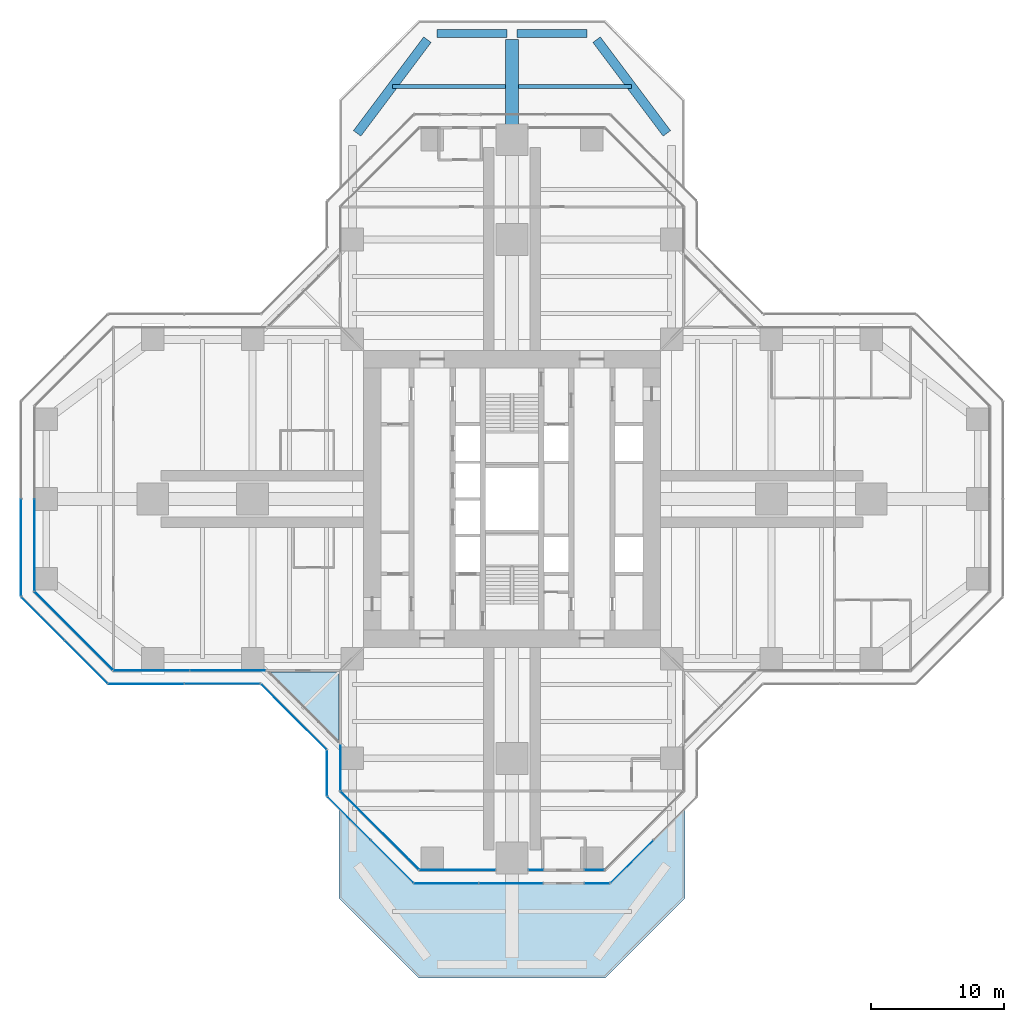
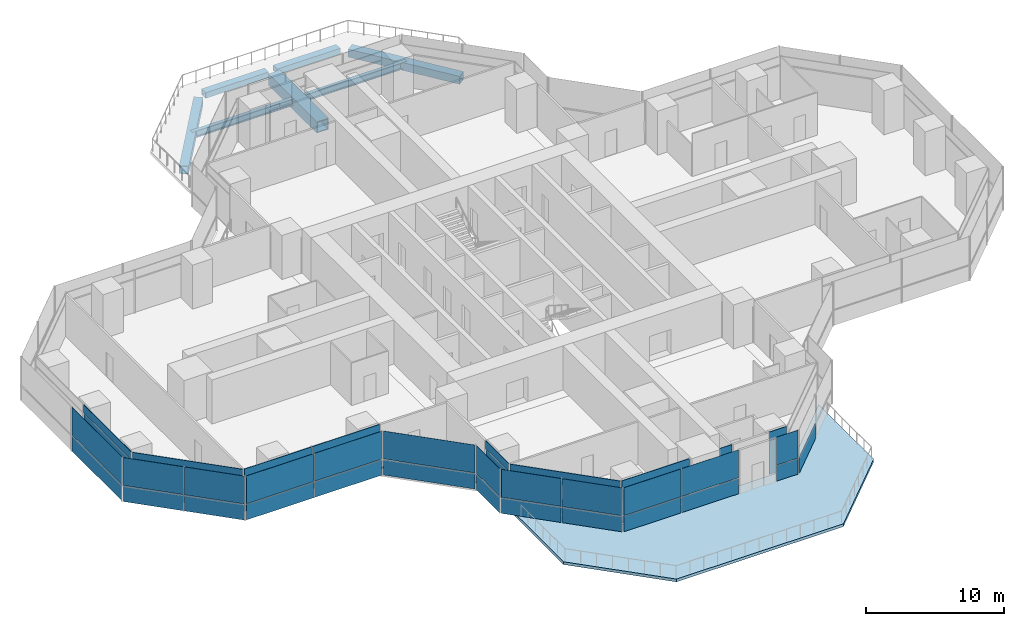
# One storey, part 13 of 21: 43 plates, 7 beams, 2 slabs, 17 elements without a shape of their own.
"""IFC4 building model written with IfcOpenShell, lengths in metres."""

from ifc_helpers import new_model, si_unit, direction, frame, origin, origin_2d, place, context, subcontext, project, spatial, polyline, rectangle, hollow_rectangle, i_section, outline, extrude, material, layer, layer_set, material_profile, profile_set, type_object, element, aggregate, save


model = new_model("IFC4")

# Units and contexts
model_context = context("Model", 3, precision=1e-05, world=origin(), true_north=direction((0.0, 1.0)))
body_context = subcontext(model_context, "Body", "Model", "MODEL_VIEW")
ifc_project = project(units=[si_unit("LENGTHUNIT", "METRE"), si_unit("AREAUNIT", "SQUARE_METRE"), si_unit("VOLUMEUNIT", "CUBIC_METRE"), si_unit("PLANEANGLEUNIT", "RADIAN"), si_unit("MASSUNIT", "GRAM", prefix="KILO")], contexts=[model_context])

# Site, building, storey
site_placement = place(None, origin())
site = spatial("IfcSite", under=ifc_project, at=site_placement, CompositionType="ELEMENT")
building_placement = place(site_placement, origin())
building = spatial("IfcBuilding", under=site, at=building_placement, Name="Mizan Broadcast Tower", CompositionType="ELEMENT")
storey_placement = place(building_placement, frame((0.0, 0.0, 124.199951171875)))
storey = spatial("IfcBuildingStorey", under=building, at=storey_placement, Name="L27", CompositionType="ELEMENT", Elevation=124.199951171875)

# Beams
ifc_material_1 = material(Name="Steel S355", Category="steel")
ifc_material_profile_1 = material_profile(ifc_material_1, hollow_rectangle(XDim=0.60009765625, YDim=0.5, WallThickness=0.030029296875, at=origin_2d()), Name="BOX 500x600x30")
ifc_profile_set_1 = profile_set([ifc_material_profile_1], Name="Steel S355")
beam_type_1 = type_object("IfcBeamType", Name="EDGE BEAM BOX 500x600x30", PredefinedType="SPANDREL", material=ifc_profile_set_1)
for number, where, z_axis, x_axis, name in (
    (1, (5.639892578125, 35.0, -0.5), (-1.0, 0.0, 0.0), (0.0, -1.0, 0.0), "Edge beam BOX 500x600x30 L27 north arm"),
    (2, (-5.639892578125, 35.0, -0.5), (1.0, 0.0, 0.0), (0.0, 1.0, 0.0), "Edge beam BOX 500x600x30 L27 north arm"),
):
    element("IfcBeam", number, at=place(storey_placement, frame(where, z_axis=z_axis, x_axis=x_axis)), inside=storey, type_object=beam_type_1, Name=name, PredefinedType="SPANDREL", context=body_context, shape_type="SweptSolid", body=[
        extrude(hollow_rectangle(XDim=0.60009765625, YDim=0.5, WallThickness=0.030029296875, at=origin_2d()), origin(), (0.0, 0.0, 1.0), 5.27978515625),
    ])
ifc_material_2 = material(Name="Steel S355", Category="steel")
ifc_material_profile_2 = material_profile(ifc_material_2, hollow_rectangle(XDim=0.699951171875, YDim=0.699951171875, WallThickness=0.0400390625, at=origin_2d()), Name="BOX 700x700x40")
ifc_profile_set_2 = profile_set([ifc_material_profile_2], Name="Steel S355")
beam_type_2 = type_object("IfcBeamType", Name="EDGE BEAM BOX 700x700x40", PredefinedType="SPANDREL", material=ifc_profile_set_2)
for number, where, z_axis, x_axis, name in (
    (3, (11.639892578125, 27.47998046875, -0.599853515625), (-0.599982243973, 0.800013316712, 0.0), (-0.800013316712, -0.599982243973, 0.0), "Edge beam BOX 700x700x40 L27 north arm"),
    (4, (-11.639892578125, 27.47998046875, -0.599853515625), (0.599982243973, 0.800013316712, 0.0), (-0.800013316712, 0.599982243973, 0.0), "Edge beam BOX 700x700x40 L27 north arm"),
):
    element("IfcBeam", number, at=place(storey_placement, frame(where, z_axis=z_axis, x_axis=x_axis)), inside=storey, type_object=beam_type_2, Name=name, PredefinedType="SPANDREL", context=body_context, shape_type="SweptSolid", body=[
        extrude(hollow_rectangle(XDim=0.699951171875, YDim=0.699951171875, WallThickness=0.0400390625, at=origin_2d()), origin(), (0.0, 0.0, 1.0), 8.7998046875),
    ])
ifc_material_3 = material(Name="Steel S460", Category="steel")
ifc_material_profile_3 = material_profile(ifc_material_3, hollow_rectangle(XDim=1.0, YDim=1.0, WallThickness=0.080078125, at=origin_2d()), Name="BOX 1000x1000x80")
ifc_profile_set_3 = profile_set([ifc_material_profile_3], Name="Steel S460")
beam_type_3 = type_object("IfcBeamType", Name="GIRDER BOX 1000x1000x80", PredefinedType="BEAM", material=ifc_profile_set_3)
beam_placement = place(storey_placement, frame((0.0, 27.47998046875, -0.75), z_axis=(0.0, 1.0, 0.0), x_axis=(-1.0, 0.0, 0.0)))
element("IfcBeam", 5, at=beam_placement, inside=storey, type_object=beam_type_3, Name="Girder BOX 1000x1000x80 L27 north arm", PredefinedType="BEAM", context=body_context, shape_type="SweptSolid", body=[
    extrude(hollow_rectangle(XDim=1.0, YDim=1.0, WallThickness=0.080078125, at=origin_2d()), origin(), (0.0, 0.0, 1.0), 7.0400390625),
])
ifc_material_4 = material(Name="Steel S355", Category="steel")
ifc_material_profile_4 = material_profile(ifc_material_4, i_section(OverallWidth=0.300048828125, OverallDepth=0.590087890625, WebThickness=0.012939453125, FlangeThickness=0.02490234375, FilletRadius=0.027099609375, at=origin_2d()), Name="HEA 600")
ifc_profile_set_4 = profile_set([ifc_material_profile_4], Name="Steel S355")
beam_type_4 = type_object("IfcBeamType", Name="SECONDARY BEAM HEA 600", PredefinedType="JOIST", material=ifc_profile_set_4)
for number, where, z_axis, x_axis, name in (
    (6, (9.0, 31.0, -0.544921875), (-1.0, 0.0, 0.0), (0.0, -1.0, 0.0), "Secondary beam HEA 600 L27 north arm"),
    (7, (-9.0, 31.0, -0.544921875), (1.0, 0.0, 0.0), (0.0, 1.0, 0.0), "Secondary beam HEA 600 L27 north arm"),
):
    element("IfcBeam", number, at=place(storey_placement, frame(where, z_axis=z_axis, x_axis=x_axis)), inside=storey, type_object=beam_type_4, Name=name, PredefinedType="JOIST", context=body_context, shape_type="SweptSolid", body=[
        extrude(i_section(OverallWidth=0.300048828125, OverallDepth=0.590087890625, WebThickness=0.012939453125, FlangeThickness=0.02490234375, FilletRadius=0.027099609375, at=origin_2d()), origin(), (0.0, 0.0, 1.0), 8.5),
    ])

# Curtain wall, plate
ifc_material_5 = material(Name="Aluminium framed glazing", Category="aluminium")
curtain_wall_type_1 = type_object("IfcCurtainWallType", Name="INNER SKIN MID ZONE", PredefinedType="USERDEFINED", material=ifc_material_5)
curtain_wall_1_placement = place(storey_placement, origin())
curtain_wall_1 = element("IfcCurtainWall", 8, at=curtain_wall_1_placement, inside=storey, type_object=curtain_wall_type_1, Name="Inner skin mid zone L27 W end", ObjectType="INNER SKIN MID ZONE", PredefinedType="USERDEFINED")
ifc_material_6 = material(Name="Double glazing, clear low-e", Category="glass")
ifc_layer_1 = layer(ifc_material_6, 0.028076171875)
ifc_layer_set_1 = layer_set([ifc_layer_1], Name="Double glazing, clear low-e")
plate_type_1 = type_object("IfcPlateType", Name="INNER SKIN GLAZING UNIT", PredefinedType="CURTAIN_PANEL", material=ifc_layer_set_1)
plate_1_placement = place(storey_placement, frame((-35.89990234375, -3.46435546875, 0.0), z_axis=(0.0, 0.0, 1.0), x_axis=(0.0, -1.0, 0.0)))
plate_1 = element("IfcPlate", 9, at=plate_1_placement, type_object=plate_type_1, Name="Inner skin mid zone L27 W end panel 2.1", PredefinedType="CURTAIN_PANEL", context=body_context, shape_type="SweptSolid", body=[
    extrude(rectangle(XDim=6.86865234375, YDim=0.028076171875, at=origin_2d()), origin(), (0.0, 0.0, 1.0), 3.0),
])

curtain_wall_2_placement = place(storey_placement, origin())
curtain_wall_2 = element("IfcCurtainWall", 10, at=curtain_wall_2_placement, inside=storey, type_object=curtain_wall_type_1, Name="Inner skin mid zone L27 W chamfer", ObjectType="INNER SKIN MID ZONE", PredefinedType="USERDEFINED")
plate_2_placement = place(storey_placement, frame((-32.92919921875, -9.92919921875, 0.0), z_axis=(0.0, 0.0, 1.0), x_axis=(0.707106781187, -0.707106781187, 0.0)))
plate_2 = element("IfcPlate", 11, at=plate_2_placement, type_object=plate_type_1, Name="Inner skin mid zone L27 W chamfer panel 1.1", PredefinedType="CURTAIN_PANEL", context=body_context, shape_type="SweptSolid", body=[
    extrude(rectangle(XDim=8.282470703125, YDim=0.028076171875, at=origin_2d()), origin(), (0.0, 0.0, 1.0), 3.0),
])

# Curtain wall, plates
curtain_wall_3_placement = place(storey_placement, origin())
curtain_wall_3 = element("IfcCurtainWall", 12, at=curtain_wall_3_placement, inside=storey, type_object=curtain_wall_type_1, Name="Inner skin mid zone L27 W side", ObjectType="INNER SKIN MID ZONE", PredefinedType="USERDEFINED")
plate_3_placement = place(storey_placement, frame((-27.078857421875, -12.89990234375, 0.0), z_axis=(0.0, 0.0, 1.0), x_axis=(1.0, 0.0, 0.0)))
plate_3 = element("IfcPlate", 13, at=plate_3_placement, type_object=plate_type_1, Name="Inner skin mid zone L27 W side panel 1.1", PredefinedType="CURTAIN_PANEL", context=body_context, shape_type="SweptSolid", body=[
    extrude(rectangle(XDim=5.639404296875, YDim=0.028076171875, at=origin_2d()), origin(), (0.0, 0.0, 1.0), 3.0),
])
plate_4_placement = place(storey_placement, frame((-21.379638671875, -12.89990234375, 0.0), z_axis=(0.0, 0.0, 1.0), x_axis=(1.0, 0.0, 0.0)))
plate_4 = element("IfcPlate", 14, at=plate_4_placement, type_object=plate_type_1, Name="Inner skin mid zone L27 W side panel 2.1", PredefinedType="CURTAIN_PANEL", context=body_context, shape_type="SweptSolid", body=[
    extrude(rectangle(XDim=5.639404296875, YDim=0.028076171875, at=origin_2d()), origin(), (0.0, 0.0, 1.0), 3.0),
])

# Curtain wall, plate
curtain_wall_4_placement = place(storey_placement, origin())
curtain_wall_4 = element("IfcCurtainWall", 15, at=curtain_wall_4_placement, inside=storey, type_object=curtain_wall_type_1, Name="Inner skin mid zone L27 S side", ObjectType="INNER SKIN MID ZONE", PredefinedType="USERDEFINED")
plate_5_placement = place(storey_placement, frame((-12.89990234375, -20.229248046875, 0.0), z_axis=(0.0, 0.0, 1.0), x_axis=(0.0, -1.0, 0.0)))
plate_5 = element("IfcPlate", 16, at=plate_5_placement, type_object=plate_type_1, Name="Inner skin mid zone L27 S side panel 1.1", PredefinedType="CURTAIN_PANEL", context=body_context, shape_type="SweptSolid", body=[
    extrude(rectangle(XDim=3.338623046875, YDim=0.028076171875, at=origin_2d()), origin(), (0.0, 0.0, 1.0), 3.0),
])

curtain_wall_5_placement = place(storey_placement, origin())
curtain_wall_5 = element("IfcCurtainWall", 17, at=curtain_wall_5_placement, inside=storey, type_object=curtain_wall_type_1, Name="Inner skin mid zone L27 S chamfer", ObjectType="INNER SKIN MID ZONE", PredefinedType="USERDEFINED")
plate_6_placement = place(storey_placement, frame((-9.92919921875, -24.92919921875, 0.0), z_axis=(0.0, 0.0, 1.0), x_axis=(0.707106781187, -0.707106781187, 0.0)))
plate_6 = element("IfcPlate", 18, at=plate_6_placement, type_object=plate_type_1, Name="Inner skin mid zone L27 S chamfer panel 1.1", PredefinedType="CURTAIN_PANEL", context=body_context, shape_type="SweptSolid", body=[
    extrude(rectangle(XDim=8.282470703125, YDim=0.028076171875, at=origin_2d()), origin(), (0.0, 0.0, 1.0), 3.0),
])

curtain_wall_6_placement = place(storey_placement, origin())
curtain_wall_6 = element("IfcCurtainWall", 19, at=curtain_wall_6_placement, inside=storey, type_object=curtain_wall_type_1, Name="Inner skin mid zone L27 S end", ObjectType="INNER SKIN MID ZONE", PredefinedType="USERDEFINED")
plate_7_placement = place(storey_placement, frame((-4.079345703125, -27.89990234375, 0.0), z_axis=(0.0, 0.0, 1.0), x_axis=(1.0, 0.0, 0.0)))
plate_7 = element("IfcPlate", 20, at=plate_7_placement, type_object=plate_type_1, Name="Inner skin mid zone L27 S end panel 1.1", PredefinedType="CURTAIN_PANEL", context=body_context, shape_type="SweptSolid", body=[
    extrude(rectangle(XDim=5.638671875, YDim=0.028076171875, at=origin_2d()), origin(), (0.0, 0.0, 1.0), 3.0),
])

curtain_wall_7_placement = place(storey_placement, origin())
curtain_wall_7 = element("IfcCurtainWall", 21, at=curtain_wall_7_placement, inside=storey, type_object=curtain_wall_type_1, Name="Inner skin mid zone L27 S end", ObjectType="INNER SKIN MID ZONE", PredefinedType="USERDEFINED")
plate_8_placement = place(storey_placement, frame((1.800048828125, -27.89990234375, 0.0), z_axis=(0.0, 0.0, 1.0), x_axis=(1.0, 0.0, 0.0)))
plate_8 = element("IfcPlate", 22, at=plate_8_placement, type_object=plate_type_1, Name="Inner skin mid zone L27 S end panel 1.1", PredefinedType="CURTAIN_PANEL", context=body_context, shape_type="SweptSolid", body=[
    extrude(rectangle(XDim=1.080078125, YDim=0.028076171875, at=origin_2d()), origin(), (0.0, 0.0, 1.0), 3.0),
])

curtain_wall_8_placement = place(storey_placement, origin())
curtain_wall_8 = element("IfcCurtainWall", 23, at=curtain_wall_8_placement, inside=storey, type_object=curtain_wall_type_1, Name="Inner skin mid zone L27 S end", ObjectType="INNER SKIN MID ZONE", PredefinedType="USERDEFINED")
plate_9_placement = place(storey_placement, frame((6.17919921875, -27.89990234375, 0.0), z_axis=(0.0, 0.0, 1.0), x_axis=(1.0, 0.0, 0.0)))
plate_9 = element("IfcPlate", 24, at=plate_9_placement, type_object=plate_type_1, Name="Inner skin mid zone L27 S end panel 1.1", PredefinedType="CURTAIN_PANEL", context=body_context, shape_type="SweptSolid", body=[
    extrude(rectangle(XDim=1.4384765625, YDim=0.028076171875, at=origin_2d()), origin(), (0.0, 0.0, 1.0), 3.0),
])

# Plate
ifc_material_7 = material(Name="Insulated aluminium spandrel panel, pale anodised", Category="aluminium")
ifc_layer_2 = layer(ifc_material_7, 0.050048828125)
ifc_layer_set_2 = layer_set([ifc_layer_2], Name="Insulated aluminium spandrel panel, pale anodised")
plate_type_2 = type_object("IfcPlateType", Name="INNER SKIN SPANDREL PANEL", PredefinedType="CURTAIN_PANEL", material=ifc_layer_set_2)
plate_10_placement = place(storey_placement, frame((-35.89990234375, -3.46435546875, 3.06005859375), z_axis=(0.0, 0.0, 1.0), x_axis=(0.0, -1.0, 0.0)))
plate_10 = element("IfcPlate", 25, at=plate_10_placement, type_object=plate_type_2, Name="Inner skin mid zone L27 W end panel 2.2", PredefinedType="CURTAIN_PANEL", context=body_context, shape_type="SweptSolid", body=[
    extrude(rectangle(XDim=6.86865234375, YDim=0.050048828125, at=origin_2d()), origin(), (0.0, 0.0, 1.0), 0.7099609375),
])

aggregate(curtain_wall_1, [plate_1, plate_10])

plate_11_placement = place(storey_placement, frame((-32.92919921875, -9.92919921875, 3.06005859375), z_axis=(0.0, 0.0, 1.0), x_axis=(0.707106781187, -0.707106781187, 0.0)))
plate_11 = element("IfcPlate", 26, at=plate_11_placement, type_object=plate_type_2, Name="Inner skin mid zone L27 W chamfer panel 1.2", PredefinedType="CURTAIN_PANEL", context=body_context, shape_type="SweptSolid", body=[
    extrude(rectangle(XDim=8.282470703125, YDim=0.050048828125, at=origin_2d()), origin(), (0.0, 0.0, 1.0), 0.7099609375),
])

aggregate(curtain_wall_2, [plate_2, plate_11])

plate_12_placement = place(storey_placement, frame((-27.078857421875, -12.89990234375, 3.06005859375), z_axis=(0.0, 0.0, 1.0), x_axis=(1.0, 0.0, 0.0)))
plate_12 = element("IfcPlate", 27, at=plate_12_placement, type_object=plate_type_2, Name="Inner skin mid zone L27 W side panel 1.2", PredefinedType="CURTAIN_PANEL", context=body_context, shape_type="SweptSolid", body=[
    extrude(rectangle(XDim=5.639404296875, YDim=0.050048828125, at=origin_2d()), origin(), (0.0, 0.0, 1.0), 0.7099609375),
])

plate_13_placement = place(storey_placement, frame((-21.379638671875, -12.89990234375, 3.06005859375), z_axis=(0.0, 0.0, 1.0), x_axis=(1.0, 0.0, 0.0)))
plate_13 = element("IfcPlate", 28, at=plate_13_placement, type_object=plate_type_2, Name="Inner skin mid zone L27 W side panel 2.2", PredefinedType="CURTAIN_PANEL", context=body_context, shape_type="SweptSolid", body=[
    extrude(rectangle(XDim=5.639404296875, YDim=0.050048828125, at=origin_2d()), origin(), (0.0, 0.0, 1.0), 0.7099609375),
])

aggregate(curtain_wall_3, [plate_3, plate_12, plate_4, plate_13])

plate_14_placement = place(storey_placement, frame((-12.89990234375, -20.229248046875, 3.06005859375), z_axis=(0.0, 0.0, 1.0), x_axis=(0.0, -1.0, 0.0)))
plate_14 = element("IfcPlate", 29, at=plate_14_placement, type_object=plate_type_2, Name="Inner skin mid zone L27 S side panel 1.2", PredefinedType="CURTAIN_PANEL", context=body_context, shape_type="SweptSolid", body=[
    extrude(rectangle(XDim=3.338623046875, YDim=0.050048828125, at=origin_2d()), origin(), (0.0, 0.0, 1.0), 0.7099609375),
])

aggregate(curtain_wall_4, [plate_5, plate_14])

plate_15_placement = place(storey_placement, frame((-9.92919921875, -24.92919921875, 3.06005859375), z_axis=(0.0, 0.0, 1.0), x_axis=(0.707106781187, -0.707106781187, 0.0)))
plate_15 = element("IfcPlate", 30, at=plate_15_placement, type_object=plate_type_2, Name="Inner skin mid zone L27 S chamfer panel 1.2", PredefinedType="CURTAIN_PANEL", context=body_context, shape_type="SweptSolid", body=[
    extrude(rectangle(XDim=8.282470703125, YDim=0.050048828125, at=origin_2d()), origin(), (0.0, 0.0, 1.0), 0.7099609375),
])

aggregate(curtain_wall_5, [plate_6, plate_15])

plate_16_placement = place(storey_placement, frame((-4.079345703125, -27.89990234375, 3.06005859375), z_axis=(0.0, 0.0, 1.0), x_axis=(1.0, 0.0, 0.0)))
plate_16 = element("IfcPlate", 31, at=plate_16_placement, type_object=plate_type_2, Name="Inner skin mid zone L27 S end panel 1.2", PredefinedType="CURTAIN_PANEL", context=body_context, shape_type="SweptSolid", body=[
    extrude(rectangle(XDim=5.638671875, YDim=0.050048828125, at=origin_2d()), origin(), (0.0, 0.0, 1.0), 0.7099609375),
])

aggregate(curtain_wall_6, [plate_7, plate_16])

plate_17_placement = place(storey_placement, frame((1.800048828125, -27.89990234375, 3.06005859375), z_axis=(0.0, 0.0, 1.0), x_axis=(1.0, 0.0, 0.0)))
plate_17 = element("IfcPlate", 32, at=plate_17_placement, type_object=plate_type_2, Name="Inner skin mid zone L27 S end panel 1.2", PredefinedType="CURTAIN_PANEL", context=body_context, shape_type="SweptSolid", body=[
    extrude(rectangle(XDim=1.080078125, YDim=0.050048828125, at=origin_2d()), origin(), (0.0, 0.0, 1.0), 0.7099609375),
])

aggregate(curtain_wall_7, [plate_8, plate_17])

plate_18_placement = place(storey_placement, frame((6.17919921875, -27.89990234375, 3.06005859375), z_axis=(0.0, 0.0, 1.0), x_axis=(1.0, 0.0, 0.0)))
plate_18 = element("IfcPlate", 33, at=plate_18_placement, type_object=plate_type_2, Name="Inner skin mid zone L27 S end panel 1.2", PredefinedType="CURTAIN_PANEL", context=body_context, shape_type="SweptSolid", body=[
    extrude(rectangle(XDim=1.4384765625, YDim=0.050048828125, at=origin_2d()), origin(), (0.0, 0.0, 1.0), 0.7099609375),
])

aggregate(curtain_wall_8, [plate_9, plate_18])

# Curtain wall, plates
ifc_material_8 = material(Name="Aluminium framed glazing", Category="aluminium")
curtain_wall_type_2 = type_object("IfcCurtainWallType", Name="OUTER SKIN", PredefinedType="USERDEFINED", material=ifc_material_8)
curtain_wall_9_placement = place(storey_placement, origin())
curtain_wall_9 = element("IfcCurtainWall", 34, at=curtain_wall_9_placement, inside=storey, type_object=curtain_wall_type_2, Name="Outer skin L27 W chamfer", ObjectType="OUTER SKIN", PredefinedType="USERDEFINED")
ifc_material_9 = material(Name="Laminated clear glass", Category="glass")
ifc_layer_3 = layer(ifc_material_9, 0.02001953125)
ifc_layer_set_3 = layer_set([ifc_layer_3], Name="Laminated clear glass")
plate_type_3 = type_object("IfcPlateType", Name="OUTER SKIN CLEAR GLASS", PredefinedType="CURTAIN_PANEL", material=ifc_layer_set_3)
plate_19_placement = place(storey_placement, frame((-35.254150390625, -9.018798828125, 0.0), z_axis=(0.0, 0.0, 1.0), x_axis=(0.707106781187, -0.707106781187, 0.0)))
plate_19 = element("IfcPlate", 35, at=plate_19_placement, type_object=plate_type_3, Name="Outer skin L27 W chamfer panel 1.1", PredefinedType="CURTAIN_PANEL", context=body_context, shape_type="SweptSolid", body=[
    extrude(rectangle(XDim=4.495361328125, YDim=0.02001953125, at=origin_2d()), origin(), (0.0, 0.0, 1.0), 1.3701171875),
])
plate_20_placement = place(storey_placement, frame((-35.254150390625, -9.018798828125, 1.43017578125), z_axis=(0.0, 0.0, 1.0), x_axis=(0.707106781187, -0.707106781187, 0.0)))
plate_20 = element("IfcPlate", 36, at=plate_20_placement, type_object=plate_type_3, Name="Outer skin L27 W chamfer panel 1.2", PredefinedType="CURTAIN_PANEL", context=body_context, shape_type="SweptSolid", body=[
    extrude(rectangle(XDim=4.495361328125, YDim=0.02001953125, at=origin_2d()), origin(), (0.0, 0.0, 1.0), 2.469970703125),
])

curtain_wall_10_placement = place(storey_placement, origin())
curtain_wall_10 = element("IfcCurtainWall", 37, at=curtain_wall_10_placement, inside=storey, type_object=curtain_wall_type_2, Name="Outer skin L27 W side", ObjectType="OUTER SKIN", PredefinedType="USERDEFINED")
plate_21_placement = place(storey_placement, frame((-27.477783203125, -13.89990234375, 0.0), z_axis=(0.0, 0.0, 1.0), x_axis=(1.0, 0.0, 0.0)))
plate_21 = element("IfcPlate", 38, at=plate_21_placement, type_object=plate_type_3, Name="Outer skin L27 W side panel 1.1", PredefinedType="CURTAIN_PANEL", context=body_context, shape_type="SweptSolid", body=[
    extrude(rectangle(XDim=5.6298828125, YDim=0.02001953125, at=origin_2d()), origin(), (0.0, 0.0, 1.0), 1.3701171875),
])
plate_22_placement = place(storey_placement, frame((-27.477783203125, -13.89990234375, 1.43017578125), z_axis=(0.0, 0.0, 1.0), x_axis=(1.0, 0.0, 0.0)))
plate_22 = element("IfcPlate", 39, at=plate_22_placement, type_object=plate_type_3, Name="Outer skin L27 W side panel 1.2", PredefinedType="CURTAIN_PANEL", context=body_context, shape_type="SweptSolid", body=[
    extrude(rectangle(XDim=5.6298828125, YDim=0.02001953125, at=origin_2d()), origin(), (0.0, 0.0, 1.0), 2.469970703125),
])

curtain_wall_11_placement = place(storey_placement, origin())
curtain_wall_11 = element("IfcCurtainWall", 40, at=curtain_wall_11_placement, inside=storey, type_object=curtain_wall_type_2, Name="Outer skin L27 W chamfer", ObjectType="OUTER SKIN", PredefinedType="USERDEFINED")
plate_23_placement = place(storey_placement, frame((-16.386474609375, -16.386474609375, 0.0), z_axis=(0.0, 0.0, 1.0), x_axis=(0.707106781187, -0.707106781187, 0.0)))
plate_23 = element("IfcPlate", 41, at=plate_23_placement, type_object=plate_type_3, Name="Outer skin L27 W chamfer panel 1.1", PredefinedType="CURTAIN_PANEL", context=body_context, shape_type="SweptSolid", body=[
    extrude(rectangle(XDim=6.87255859375, YDim=0.02001953125, at=origin_2d()), origin(), (0.0, 0.0, 1.0), 1.3701171875),
])
plate_24_placement = place(storey_placement, frame((-16.386474609375, -16.386474609375, 1.43017578125), z_axis=(0.0, 0.0, 1.0), x_axis=(0.707106781187, -0.707106781187, 0.0)))
plate_24 = element("IfcPlate", 42, at=plate_24_placement, type_object=plate_type_3, Name="Outer skin L27 W chamfer panel 1.2", PredefinedType="CURTAIN_PANEL", context=body_context, shape_type="SweptSolid", body=[
    extrude(rectangle(XDim=6.87255859375, YDim=0.02001953125, at=origin_2d()), origin(), (0.0, 0.0, 1.0), 2.469970703125),
])
aggregate(curtain_wall_11, [plate_23, plate_24])

curtain_wall_12_placement = place(storey_placement, origin())
curtain_wall_12 = element("IfcCurtainWall", 43, at=curtain_wall_12_placement, inside=storey, type_object=curtain_wall_type_2, Name="Outer skin L27 S side", ObjectType="OUTER SKIN", PredefinedType="USERDEFINED")
plate_25_placement = place(storey_placement, frame((-13.89990234375, -20.622802734375, 0.0), z_axis=(0.0, 0.0, 1.0), x_axis=(0.0, -1.0, 0.0)))
plate_25 = element("IfcPlate", 44, at=plate_25_placement, type_object=plate_type_3, Name="Outer skin L27 S side panel 1.1", PredefinedType="CURTAIN_PANEL", context=body_context, shape_type="SweptSolid", body=[
    extrude(rectangle(XDim=3.340087890625, YDim=0.02001953125, at=origin_2d()), origin(), (0.0, 0.0, 1.0), 1.3701171875),
])
plate_26_placement = place(storey_placement, frame((-13.89990234375, -20.622802734375, 1.43017578125), z_axis=(0.0, 0.0, 1.0), x_axis=(0.0, -1.0, 0.0)))
plate_26 = element("IfcPlate", 45, at=plate_26_placement, type_object=plate_type_3, Name="Outer skin L27 S side panel 1.2", PredefinedType="CURTAIN_PANEL", context=body_context, shape_type="SweptSolid", body=[
    extrude(rectangle(XDim=3.340087890625, YDim=0.02001953125, at=origin_2d()), origin(), (0.0, 0.0, 1.0), 2.469970703125),
])
aggregate(curtain_wall_12, [plate_25, plate_26])

curtain_wall_13_placement = place(storey_placement, origin())
curtain_wall_13 = element("IfcCurtainWall", 46, at=curtain_wall_13_placement, inside=storey, type_object=curtain_wall_type_2, Name="Outer skin L27 S chamfer", ObjectType="OUTER SKIN", PredefinedType="USERDEFINED")
plate_27_placement = place(storey_placement, frame((-12.254150390625, -24.018798828125, 0.0), z_axis=(0.0, 0.0, 1.0), x_axis=(0.707106781187, -0.707106781187, 0.0)))
plate_27 = element("IfcPlate", 47, at=plate_27_placement, type_object=plate_type_3, Name="Outer skin L27 S chamfer panel 1.1", PredefinedType="CURTAIN_PANEL", context=body_context, shape_type="SweptSolid", body=[
    extrude(rectangle(XDim=4.495361328125, YDim=0.02001953125, at=origin_2d()), origin(), (0.0, 0.0, 1.0), 1.3701171875),
])
plate_28_placement = place(storey_placement, frame((-12.254150390625, -24.018798828125, 1.43017578125), z_axis=(0.0, 0.0, 1.0), x_axis=(0.707106781187, -0.707106781187, 0.0)))
plate_28 = element("IfcPlate", 48, at=plate_28_placement, type_object=plate_type_3, Name="Outer skin L27 S chamfer panel 1.2", PredefinedType="CURTAIN_PANEL", context=body_context, shape_type="SweptSolid", body=[
    extrude(rectangle(XDim=4.495361328125, YDim=0.02001953125, at=origin_2d()), origin(), (0.0, 0.0, 1.0), 2.469970703125),
])

curtain_wall_14_placement = place(storey_placement, origin())
curtain_wall_14 = element("IfcCurtainWall", 49, at=curtain_wall_14_placement, inside=storey, type_object=curtain_wall_type_2, Name="Outer skin L27 S end", ObjectType="OUTER SKIN", PredefinedType="USERDEFINED")
plate_29_placement = place(storey_placement, frame((-4.90966796875, -28.89990234375, 0.0), z_axis=(0.0, 0.0, 1.0), x_axis=(1.0, 0.0, 0.0)))
plate_29 = element("IfcPlate", 50, at=plate_29_placement, type_object=plate_type_3, Name="Outer skin L27 S end panel 1.1", PredefinedType="CURTAIN_PANEL", context=body_context, shape_type="SweptSolid", body=[
    extrude(rectangle(XDim=4.766357421875, YDim=0.02001953125, at=origin_2d()), origin(), (0.0, 0.0, 1.0), 1.3701171875),
])
plate_30_placement = place(storey_placement, frame((-4.90966796875, -28.89990234375, 1.43017578125), z_axis=(0.0, 0.0, 1.0), x_axis=(1.0, 0.0, 0.0)))
plate_30 = element("IfcPlate", 51, at=plate_30_placement, type_object=plate_type_3, Name="Outer skin L27 S end panel 1.2", PredefinedType="CURTAIN_PANEL", context=body_context, shape_type="SweptSolid", body=[
    extrude(rectangle(XDim=4.766357421875, YDim=0.02001953125, at=origin_2d()), origin(), (0.0, 0.0, 1.0), 2.469970703125),
])

curtain_wall_15_placement = place(storey_placement, origin())
curtain_wall_15 = element("IfcCurtainWall", 52, at=curtain_wall_15_placement, inside=storey, type_object=curtain_wall_type_2, Name="Outer skin L27 S end", ObjectType="OUTER SKIN", PredefinedType="USERDEFINED")
plate_31_placement = place(storey_placement, frame((6.386474609375, -28.89990234375, 0.0), z_axis=(0.0, 0.0, 1.0), x_axis=(1.0, 0.0, 0.0)))
plate_31 = element("IfcPlate", 53, at=plate_31_placement, type_object=plate_type_3, Name="Outer skin L27 S end panel 1.1", PredefinedType="CURTAIN_PANEL", context=body_context, shape_type="SweptSolid", body=[
    extrude(rectangle(XDim=1.812744140625, YDim=0.02001953125, at=origin_2d()), origin(), (0.0, 0.0, 1.0), 1.3701171875),
])
plate_32_placement = place(storey_placement, frame((6.386474609375, -28.89990234375, 1.43017578125), z_axis=(0.0, 0.0, 1.0), x_axis=(1.0, 0.0, 0.0)))
plate_32 = element("IfcPlate", 54, at=plate_32_placement, type_object=plate_type_3, Name="Outer skin L27 S end panel 1.2", PredefinedType="CURTAIN_PANEL", context=body_context, shape_type="SweptSolid", body=[
    extrude(rectangle(XDim=1.812744140625, YDim=0.02001953125, at=origin_2d()), origin(), (0.0, 0.0, 1.0), 2.469970703125),
])
aggregate(curtain_wall_15, [plate_31, plate_32])

# Curtain wall, plate
curtain_wall_16_placement = place(storey_placement, origin())
curtain_wall_16 = element("IfcCurtainWall", 55, at=curtain_wall_16_placement, inside=storey, type_object=curtain_wall_type_2, Name="Outer skin L27 S chamfer", ObjectType="OUTER SKIN", PredefinedType="USERDEFINED")
plate_33_placement = place(storey_placement, frame((9.018798828125, -27.254150390625, 0.0), z_axis=(0.0, 0.0, 1.0), x_axis=(0.707106781187, 0.707106781187, 0.0)))
plate_33 = element("IfcPlate", 56, at=plate_33_placement, type_object=plate_type_3, Name="Outer skin L27 S chamfer panel 1.1", PredefinedType="CURTAIN_PANEL", context=body_context, shape_type="SweptSolid", body=[
    extrude(rectangle(XDim=4.495361328125, YDim=0.02001953125, at=origin_2d()), origin(), (0.0, 0.0, 1.0), 1.3701171875),
])
aggregate(curtain_wall_16, [plate_33])

# Curtain wall, plates
curtain_wall_17_placement = place(storey_placement, origin())
curtain_wall_17 = element("IfcCurtainWall", 57, at=curtain_wall_17_placement, inside=storey, type_object=curtain_wall_type_2, Name="Outer skin L27 W end", ObjectType="OUTER SKIN", PredefinedType="USERDEFINED")
ifc_material_10 = material(Name="Perforated aluminium, pale anodised", Category="aluminium")
ifc_layer_4 = layer(ifc_material_10, 0.011962890625)
ifc_layer_set_4 = layer_set([ifc_layer_4], Name="Perforated aluminium, pale anodised")
plate_type_4 = type_object("IfcPlateType", Name="OUTER SKIN PERFORATED SCREEN", PredefinedType="USERDEFINED", material=ifc_layer_set_4)
plate_34_placement = place(storey_placement, frame((-36.89990234375, -3.66650390625, 0.0), z_axis=(0.0, 0.0, 1.0), x_axis=(0.0, -1.0, 0.0)))
plate_34 = element("IfcPlate", 58, at=plate_34_placement, type_object=plate_type_4, Name="Outer skin L27 W end panel 2.1", ObjectType="SCREEN", PredefinedType="USERDEFINED", context=body_context, shape_type="SweptSolid", body=[
    extrude(rectangle(XDim=7.252685546875, YDim=0.011962890625, at=origin_2d()), origin(), (0.0, 0.0, 1.0), 1.3701171875),
])
plate_35_placement = place(storey_placement, frame((-36.89990234375, -3.66650390625, 1.43017578125), z_axis=(0.0, 0.0, 1.0), x_axis=(0.0, -1.0, 0.0)))
plate_35 = element("IfcPlate", 59, at=plate_35_placement, type_object=plate_type_4, Name="Outer skin L27 W end panel 2.2", ObjectType="SCREEN", PredefinedType="USERDEFINED", context=body_context, shape_type="SweptSolid", body=[
    extrude(rectangle(XDim=7.252685546875, YDim=0.011962890625, at=origin_2d()), origin(), (0.0, 0.0, 1.0), 2.469970703125),
])
aggregate(curtain_wall_17, [plate_34, plate_35])

# Plate
plate_36_placement = place(storey_placement, frame((-32.018798828125, -12.254150390625, 0.0), z_axis=(0.0, 0.0, 1.0), x_axis=(0.707106781187, -0.707106781187, 0.0)))
plate_36 = element("IfcPlate", 60, at=plate_36_placement, type_object=plate_type_4, Name="Outer skin L27 W chamfer panel 2.1", ObjectType="SCREEN", PredefinedType="USERDEFINED", context=body_context, shape_type="SweptSolid", body=[
    extrude(rectangle(XDim=4.495361328125, YDim=0.011962890625, at=origin_2d()), origin(), (0.0, 0.0, 1.0), 1.3701171875),
])

plate_37_placement = place(storey_placement, frame((-32.018798828125, -12.254150390625, 1.43017578125), z_axis=(0.0, 0.0, 1.0), x_axis=(0.707106781187, -0.707106781187, 0.0)))
plate_37 = element("IfcPlate", 61, at=plate_37_placement, type_object=plate_type_4, Name="Outer skin L27 W chamfer panel 2.2", ObjectType="SCREEN", PredefinedType="USERDEFINED", context=body_context, shape_type="SweptSolid", body=[
    extrude(rectangle(XDim=4.495361328125, YDim=0.011962890625, at=origin_2d()), origin(), (0.0, 0.0, 1.0), 2.469970703125),
])

aggregate(curtain_wall_9, [plate_19, plate_20, plate_36, plate_37])

plate_38_placement = place(storey_placement, frame((-21.767822265625, -13.89990234375, 0.0), z_axis=(0.0, 0.0, 1.0), x_axis=(1.0, 0.0, 0.0)))
plate_38 = element("IfcPlate", 62, at=plate_38_placement, type_object=plate_type_4, Name="Outer skin L27 W side panel 2.1", ObjectType="SCREEN", PredefinedType="USERDEFINED", context=body_context, shape_type="SweptSolid", body=[
    extrude(rectangle(XDim=5.6298828125, YDim=0.011962890625, at=origin_2d()), origin(), (0.0, 0.0, 1.0), 1.3701171875),
])

plate_39_placement = place(storey_placement, frame((-21.767822265625, -13.89990234375, 1.43017578125), z_axis=(0.0, 0.0, 1.0), x_axis=(1.0, 0.0, 0.0)))
plate_39 = element("IfcPlate", 63, at=plate_39_placement, type_object=plate_type_4, Name="Outer skin L27 W side panel 2.2", ObjectType="SCREEN", PredefinedType="USERDEFINED", context=body_context, shape_type="SweptSolid", body=[
    extrude(rectangle(XDim=5.6298828125, YDim=0.011962890625, at=origin_2d()), origin(), (0.0, 0.0, 1.0), 2.469970703125),
])

aggregate(curtain_wall_10, [plate_21, plate_22, plate_38, plate_39])

plate_40_placement = place(storey_placement, frame((-9.018798828125, -27.254150390625, 0.0), z_axis=(0.0, 0.0, 1.0), x_axis=(0.707106781187, -0.707106781187, 0.0)))
plate_40 = element("IfcPlate", 64, at=plate_40_placement, type_object=plate_type_4, Name="Outer skin L27 S chamfer panel 2.1", ObjectType="SCREEN", PredefinedType="USERDEFINED", context=body_context, shape_type="SweptSolid", body=[
    extrude(rectangle(XDim=4.495361328125, YDim=0.011962890625, at=origin_2d()), origin(), (0.0, 0.0, 1.0), 1.3701171875),
])

plate_41_placement = place(storey_placement, frame((-9.018798828125, -27.254150390625, 1.43017578125), z_axis=(0.0, 0.0, 1.0), x_axis=(0.707106781187, -0.707106781187, 0.0)))
plate_41 = element("IfcPlate", 65, at=plate_41_placement, type_object=plate_type_4, Name="Outer skin L27 S chamfer panel 2.2", ObjectType="SCREEN", PredefinedType="USERDEFINED", context=body_context, shape_type="SweptSolid", body=[
    extrude(rectangle(XDim=4.495361328125, YDim=0.011962890625, at=origin_2d()), origin(), (0.0, 0.0, 1.0), 2.469970703125),
])

aggregate(curtain_wall_13, [plate_27, plate_28, plate_40, plate_41])

plate_42_placement = place(storey_placement, frame((-0.063232421875, -28.89990234375, 0.0), z_axis=(0.0, 0.0, 1.0), x_axis=(1.0, 0.0, 0.0)))
plate_42 = element("IfcPlate", 66, at=plate_42_placement, type_object=plate_type_4, Name="Outer skin L27 S end panel 2.1", ObjectType="SCREEN", PredefinedType="USERDEFINED", context=body_context, shape_type="SweptSolid", body=[
    extrude(rectangle(XDim=4.766357421875, YDim=0.011962890625, at=origin_2d()), origin(), (0.0, 0.0, 1.0), 1.3701171875),
])

plate_43_placement = place(storey_placement, frame((-0.063232421875, -28.89990234375, 1.43017578125), z_axis=(0.0, 0.0, 1.0), x_axis=(1.0, 0.0, 0.0)))
plate_43 = element("IfcPlate", 67, at=plate_43_placement, type_object=plate_type_4, Name="Outer skin L27 S end panel 2.2", ObjectType="SCREEN", PredefinedType="USERDEFINED", context=body_context, shape_type="SweptSolid", body=[
    extrude(rectangle(XDim=4.766357421875, YDim=0.011962890625, at=origin_2d()), origin(), (0.0, 0.0, 1.0), 2.469970703125),
])

aggregate(curtain_wall_14, [plate_29, plate_30, plate_42, plate_43])

# Slabs
ifc_material_11 = material(Name="Concrete C32/40", Category="concrete")
ifc_layer_5 = layer(ifc_material_11, 0.25)
ifc_layer_set_5 = layer_set([ifc_layer_5], Name="Concrete C32/40")
slab_type_1 = type_object("IfcSlabType", Name="ROOF SLAB ON DECK 250", PredefinedType="ROOF", material=ifc_layer_set_5)
slab_1_placement = place(storey_placement, frame((0.0, 0.0, -0.25)))
element("IfcSlab", 68, at=slab_1_placement, inside=storey, type_object=slab_type_1, Name="Maintenance roof slab L27 part 2", PredefinedType="ROOF", context=body_context, shape_type="SweptSolid", body=[
    extrude(outline(polyline([(13.0, -30.0), (13.0, -22.01416015625), (7.004150390625, -28.010009765625), (-7.004150390625, -28.010009765625), (-13.0, -22.01416015625), (-13.0, -30.0), (-7.0, -36.0), (7.0, -36.0), (13.0, -30.0)])), origin(), (0.0, 0.0, 1.0), 0.25),
])
ifc_material_12 = material(Name="Concrete C32/40", Category="concrete")
ifc_layer_6 = layer(ifc_material_12, 0.1298828125)
ifc_layer_set_6 = layer_set([ifc_layer_6], Name="Concrete C32/40")
slab_type_2 = type_object("IfcSlabType", Name="WINTER GARDEN SLAB 130", PredefinedType="FLOOR", material=ifc_layer_set_6)
slab_2_placement = place(storey_placement, frame((0.0, 0.0, -0.1298828125)))
element("IfcSlab", 69, at=slab_2_placement, inside=storey, type_object=slab_type_2, Name="Winter garden slab L27 W", PredefinedType="FLOOR", context=body_context, shape_type="SweptSolid", body=[
    extrude(outline(polyline([(-13.0, -13.0), (-18.5, -13.0), (-13.0, -18.5), (-13.0, -13.0)])), origin(), (0.0, 0.0, 1.0), 0.1298828125),
])

save(model, "model.ifc")
